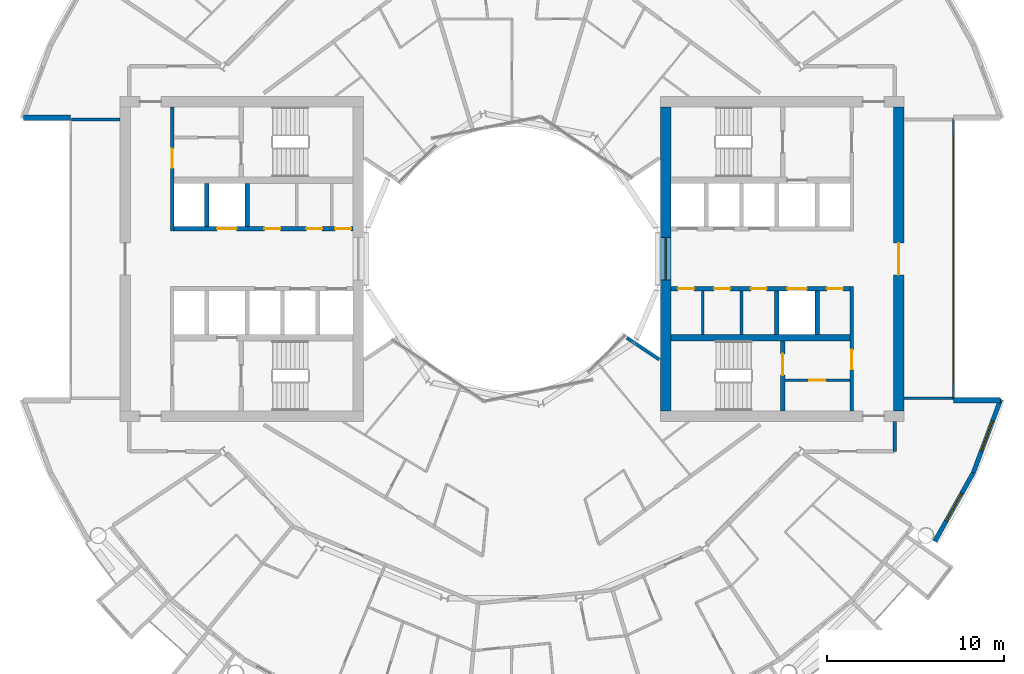
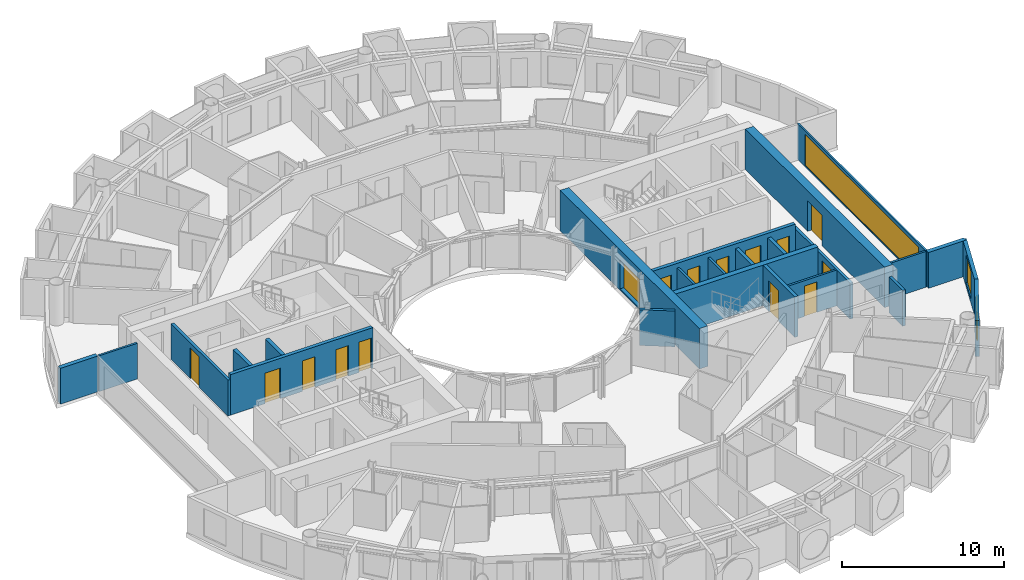
# One storey, part 18 of 27: 24 walls, 14 doors, 4 windows, 18 openings.
"""IFC4 building model written with IfcOpenShell, lengths in metres."""

from ifc_helpers import new_model, si_unit, direction, frame, frame_2d, origin, place, context, subcontext, project, spatial, rectangle, extrude, material, layer, layer_set, type_object, element, fill, save


model = new_model("IFC4")

# Units and contexts
model_context = context("Model", 3, precision=1e-05, world=origin(), true_north=direction((0.0, 1.0)))
body_context = subcontext(model_context, "Body", "Model", "MODEL_VIEW")
ifc_project = project(units=[si_unit("LENGTHUNIT", "METRE"), si_unit("AREAUNIT", "SQUARE_METRE"), si_unit("VOLUMEUNIT", "CUBIC_METRE"), si_unit("PLANEANGLEUNIT", "RADIAN"), si_unit("MASSUNIT", "GRAM", prefix="KILO")], contexts=[model_context])

# Site, building, storey
site_placement = place(None, origin())
site = spatial("IfcSite", under=ifc_project, at=site_placement, CompositionType="ELEMENT")
building_placement = place(site_placement, origin())
building = spatial("IfcBuilding", under=site, at=building_placement, Name="Maasbend Ring Residences", CompositionType="ELEMENT")
storey_placement = place(building_placement, frame((0.0, 0.0, 120.800048828125)))
storey = spatial("IfcBuildingStorey", under=building, at=storey_placement, Name="L34", CompositionType="ELEMENT", Elevation=120.800048828125)

# Wall, openings, doors
ifc_material_1 = material(Name="Concrete C60/75", Category="concrete")
ifc_layer_1 = layer(ifc_material_1, 0.25)
ifc_layer_set_1 = layer_set([ifc_layer_1], Name="Concrete C60/75")
wall_type_1 = type_object("IfcWallType", Name="CORE WALL 250 C60/75", PredefinedType="SHEAR", material=ifc_layer_set_1)
wall_1_placement = place(storey_placement, frame((19.14990234375, -1.699951171875, 0.0), z_axis=(0.0, 0.0, 1.0), x_axis=(-1.0, 0.0, 0.0)))
wall_1 = element("IfcWall", 1, at=wall_1_placement, inside=storey, type_object=wall_type_1, Name="L34 core E wall SPS", PredefinedType="SHEAR", context=body_context, shape_type="SweptSolid", body=[
    extrude(rectangle(XDim=10.14990234375, YDim=0.25, at=frame_2d((5.074951171875, 0.0))), origin(), (0.0, 0.0, 1.0), 3.050048828125),
])
opening_1_placement = place(wall_1_placement, frame((2.449951171875, 0.0, 0.0)))
opening_1 = element("IfcOpeningElement", 2, at=opening_1_placement, cuts=wall_1, Name="Opening LD-E3405", PredefinedType="OPENING", context=body_context, shape_type="SweptSolid", body=[
    extrude(rectangle(XDim=1.10009765625, YDim=2.300048828125, at=frame_2d((0.550048828125, 1.14990234375))), frame((0.0, 0.135009765625, 0.0), z_axis=(0.0, -1.0, 0.0), x_axis=(1.0, 0.0, 0.0)), (0.0, 0.0, 1.0), 0.27001953125),
])
opening_2_placement = place(wall_1_placement, frame((8.83740234375, 0.0, 0.0)))
opening_2 = element("IfcOpeningElement", 3, at=opening_2_placement, cuts=wall_1, Name="Opening D-E3406", PredefinedType="OPENING", context=body_context, shape_type="SweptSolid", body=[
    extrude(rectangle(XDim=0.89990234375, YDim=2.300048828125, at=frame_2d((0.449951171875, 1.14990234375))), frame((0.0, 0.135009765625, 0.0), z_axis=(0.0, -1.0, 0.0), x_axis=(1.0, 0.0, 0.0)), (0.0, 0.0, 1.0), 0.27001953125),
])
opening_3_placement = place(wall_1_placement, frame((6.800048828125, 0.0, 0.0)))
opening_3 = element("IfcOpeningElement", 4, at=opening_3_placement, cuts=wall_1, Name="Opening D-E3407", PredefinedType="OPENING", context=body_context, shape_type="SweptSolid", body=[
    extrude(rectangle(XDim=0.89990234375, YDim=2.300048828125, at=frame_2d((0.449951171875, 1.14990234375))), frame((0.0, 0.135009765625, 0.0), z_axis=(0.0, -1.0, 0.0), x_axis=(1.0, 0.0, 0.0)), (0.0, 0.0, 1.0), 0.27001953125),
])
opening_4_placement = place(wall_1_placement, frame((4.72509765625, 0.0, 0.0)))
opening_4 = element("IfcOpeningElement", 5, at=opening_4_placement, cuts=wall_1, Name="Opening D-E3408", PredefinedType="OPENING", context=body_context, shape_type="SweptSolid", body=[
    extrude(rectangle(XDim=0.89990234375, YDim=2.300048828125, at=frame_2d((0.449951171875, 1.14990234375))), frame((0.0, 0.135009765625, 0.0), z_axis=(0.0, -1.0, 0.0), x_axis=(1.0, 0.0, 0.0)), (0.0, 0.0, 1.0), 0.27001953125),
])
opening_5_placement = place(wall_1_placement, frame((0.41259765625, 0.0, 0.0)))
opening_5 = element("IfcOpeningElement", 6, at=opening_5_placement, cuts=wall_1, Name="Opening D-E3409", PredefinedType="OPENING", context=body_context, shape_type="SweptSolid", body=[
    extrude(rectangle(XDim=0.89990234375, YDim=2.300048828125, at=frame_2d((0.449951171875, 1.14990234375))), frame((0.0, 0.135009765625, 0.0), z_axis=(0.0, -1.0, 0.0), x_axis=(1.0, 0.0, 0.0)), (0.0, 0.0, 1.0), 0.27001953125),
])
ifc_material_2 = material(Name="Stainless steel 316", Category="steel")
door_type_1 = type_object("IfcDoorType", Name="LANDING DOOR 1100 X 2300 FD60", OperationType="DOUBLE_DOOR_SLIDING", PredefinedType="DOOR", material=ifc_material_2)
door_1_placement = place(opening_1_placement, origin())
door_1 = element("IfcDoor", 7, at=door_1_placement, inside=storey, type_object=door_type_1, Name="Landing door SV-E L34", OperationType="DOUBLE_DOOR_SLIDING", OverallHeight=2.300048828125, OverallWidth=1.10009765625, PredefinedType="DOOR", context=body_context, shape_type="SweptSolid", body=[
    extrude(rectangle(XDim=1.10009765625, YDim=2.300048828125, at=frame_2d((0.550048828125, 1.14990234375))), frame((0.0, 0.02490234375, 0.0), z_axis=(0.0, -1.0, 0.0), x_axis=(1.0, 0.0, 0.0)), (0.0, 0.0, 1.0), 0.050048828125),
])
fill(opening_1, door_1)
ifc_material_3 = material(Name="Steel, powder coated", Category="steel")
door_type_2 = type_object("IfcDoorType", Name="ROOM DOOR 900 X 2300 FD30S", OperationType="NOTDEFINED", PredefinedType="DOOR", material=ifc_material_3)
door_2_placement = place(opening_2_placement, origin())
door_2 = element("IfcDoor", 8, at=door_2_placement, inside=storey, type_object=door_type_2, Name="Room door L34", OperationType="SINGLE_SWING_LEFT", OverallHeight=2.300048828125, OverallWidth=0.89990234375, PredefinedType="DOOR", context=body_context, shape_type="SweptSolid", body=[
    extrude(rectangle(XDim=0.89990234375, YDim=2.300048828125, at=frame_2d((0.449951171875, 1.14990234375))), frame((0.0, 0.02490234375, 0.0), z_axis=(0.0, -1.0, 0.0), x_axis=(1.0, 0.0, 0.0)), (0.0, 0.0, 1.0), 0.050048828125),
])
fill(opening_2, door_2)
door_3_placement = place(opening_3_placement, origin())
door_3 = element("IfcDoor", 9, at=door_3_placement, inside=storey, type_object=door_type_2, Name="Room door L34", OperationType="SINGLE_SWING_LEFT", OverallHeight=2.300048828125, OverallWidth=0.89990234375, PredefinedType="DOOR", context=body_context, shape_type="SweptSolid", body=[
    extrude(rectangle(XDim=0.89990234375, YDim=2.300048828125, at=frame_2d((0.449951171875, 1.14990234375))), frame((0.0, 0.02490234375, 0.0), z_axis=(0.0, -1.0, 0.0), x_axis=(1.0, 0.0, 0.0)), (0.0, 0.0, 1.0), 0.050048828125),
])
fill(opening_3, door_3)
door_4_placement = place(opening_4_placement, origin())
door_4 = element("IfcDoor", 10, at=door_4_placement, inside=storey, type_object=door_type_2, Name="Room door L34", OperationType="SINGLE_SWING_LEFT", OverallHeight=2.300048828125, OverallWidth=0.89990234375, PredefinedType="DOOR", context=body_context, shape_type="SweptSolid", body=[
    extrude(rectangle(XDim=0.89990234375, YDim=2.300048828125, at=frame_2d((0.449951171875, 1.14990234375))), frame((0.0, 0.02490234375, 0.0), z_axis=(0.0, -1.0, 0.0), x_axis=(1.0, 0.0, 0.0)), (0.0, 0.0, 1.0), 0.050048828125),
])
fill(opening_4, door_4)
door_5_placement = place(opening_5_placement, origin())
door_5 = element("IfcDoor", 11, at=door_5_placement, inside=storey, type_object=door_type_2, Name="Room door L34", OperationType="SINGLE_SWING_RIGHT", OverallHeight=2.300048828125, OverallWidth=0.89990234375, PredefinedType="DOOR", context=body_context, shape_type="SweptSolid", body=[
    extrude(rectangle(XDim=0.89990234375, YDim=2.300048828125, at=frame_2d((0.449951171875, 1.14990234375))), frame((0.0, 0.02490234375, 0.0), z_axis=(0.0, -1.0, 0.0), x_axis=(1.0, 0.0, 0.0)), (0.0, 0.0, 1.0), 0.050048828125),
])
fill(opening_5, door_5)

# Wall, opening, door
wall_2_placement = place(storey_placement, frame((15.324951171875, -8.60009765625, 0.0), z_axis=(0.0, 0.0, 1.0), x_axis=(0.0, 1.0, 0.0)))
wall_2 = element("IfcWall", 12, at=wall_2_placement, inside=storey, type_object=wall_type_1, Name="L34 core E wall STES", PredefinedType="SHEAR", context=body_context, shape_type="SweptSolid", body=[
    extrude(rectangle(XDim=3.9501953125, YDim=0.25, at=frame_2d((1.97509765625, 0.0))), origin(), (0.0, 0.0, 1.0), 3.050048828125),
])
opening_6_placement = place(wall_2_placement, frame((2.02490234375, 0.0, 0.0)))
opening_6 = element("IfcOpeningElement", 13, at=opening_6_placement, cuts=wall_2, Name="Opening D-E3412", PredefinedType="OPENING", context=body_context, shape_type="SweptSolid", body=[
    extrude(rectangle(XDim=1.199951171875, YDim=2.300048828125, at=frame_2d((0.60009765625, 1.14990234375))), frame((0.0, 0.135009765625, 0.0), z_axis=(0.0, -1.0, 0.0), x_axis=(1.0, 0.0, 0.0)), (0.0, 0.0, 1.0), 0.27001953125),
])
ifc_material_4 = material(Name="Steel, powder coated", Category="steel")
door_type_3 = type_object("IfcDoorType", Name="STAIR DOOR 1200 X 2300 FD60", OperationType="NOTDEFINED", PredefinedType="DOOR", material=ifc_material_4)
door_6_placement = place(opening_6_placement, origin())
door_6 = element("IfcDoor", 14, at=door_6_placement, inside=storey, type_object=door_type_3, Name="Stair door ST-E L34", OperationType="SINGLE_SWING_LEFT", OverallHeight=2.300048828125, OverallWidth=1.199951171875, PredefinedType="DOOR", context=body_context, shape_type="SweptSolid", body=[
    extrude(rectangle(XDim=1.199951171875, YDim=2.300048828125, at=frame_2d((0.60009765625, 1.14990234375))), frame((0.0, 0.02490234375, 0.0), z_axis=(0.0, -1.0, 0.0), x_axis=(1.0, 0.0, 0.0)), (0.0, 0.0, 1.0), 0.050048828125),
])
fill(opening_6, door_6)

# Wall, openings, doors
wall_3_placement = place(storey_placement, frame((-19.14990234375, 1.699951171875, 0.0), z_axis=(0.0, 0.0, 1.0), x_axis=(1.0, 0.0, 0.0)))
wall_3 = element("IfcWall", 15, at=wall_3_placement, inside=storey, type_object=wall_type_1, Name="L34 core W wall SPS", PredefinedType="SHEAR", context=body_context, shape_type="SweptSolid", body=[
    extrude(rectangle(XDim=10.14990234375, YDim=0.25, at=frame_2d((5.074951171875, 0.0))), origin(), (0.0, 0.0, 1.0), 3.050048828125),
])
opening_7_placement = place(wall_3_placement, frame((2.449951171875, 0.0, 0.0)))
opening_7 = element("IfcOpeningElement", 16, at=opening_7_placement, cuts=wall_3, Name="Opening LD-W3405", PredefinedType="OPENING", context=body_context, shape_type="SweptSolid", body=[
    extrude(rectangle(XDim=1.10009765625, YDim=2.300048828125, at=frame_2d((0.550048828125, 1.14990234375))), frame((0.0, 0.135009765625, 0.0), z_axis=(0.0, -1.0, 0.0), x_axis=(1.0, 0.0, 0.0)), (0.0, 0.0, 1.0), 0.27001953125),
])
opening_8_placement = place(wall_3_placement, frame((9.137451171875, 0.0, 0.0)))
opening_8 = element("IfcOpeningElement", 17, at=opening_8_placement, cuts=wall_3, Name="Opening D-W3406", PredefinedType="OPENING", context=body_context, shape_type="SweptSolid", body=[
    extrude(rectangle(XDim=0.89990234375, YDim=2.300048828125, at=frame_2d((0.449951171875, 1.14990234375))), frame((0.0, 0.135009765625, 0.0), z_axis=(0.0, -1.0, 0.0), x_axis=(1.0, 0.0, 0.0)), (0.0, 0.0, 1.0), 0.27001953125),
])
opening_9_placement = place(wall_3_placement, frame((7.5, 0.0, 0.0)))
opening_9 = element("IfcOpeningElement", 18, at=opening_9_placement, cuts=wall_3, Name="Opening D-W3407", PredefinedType="OPENING", context=body_context, shape_type="SweptSolid", body=[
    extrude(rectangle(XDim=0.89990234375, YDim=2.300048828125, at=frame_2d((0.449951171875, 1.14990234375))), frame((0.0, 0.135009765625, 0.0), z_axis=(0.0, -1.0, 0.0), x_axis=(1.0, 0.0, 0.0)), (0.0, 0.0, 1.0), 0.27001953125),
])
opening_10_placement = place(wall_3_placement, frame((5.125, 0.0, 0.0)))
opening_10 = element("IfcOpeningElement", 19, at=opening_10_placement, cuts=wall_3, Name="Opening D-W3408", PredefinedType="OPENING", context=body_context, shape_type="SweptSolid", body=[
    extrude(rectangle(XDim=0.89990234375, YDim=2.300048828125, at=frame_2d((0.449951171875, 1.14990234375))), frame((0.0, 0.135009765625, 0.0), z_axis=(0.0, -1.0, 0.0), x_axis=(1.0, 0.0, 0.0)), (0.0, 0.0, 1.0), 0.27001953125),
])
door_7_placement = place(opening_7_placement, origin())
door_7 = element("IfcDoor", 20, at=door_7_placement, inside=storey, type_object=door_type_1, Name="Landing door SV-W L34", OperationType="DOUBLE_DOOR_SLIDING", OverallHeight=2.300048828125, OverallWidth=1.10009765625, PredefinedType="DOOR", context=body_context, shape_type="SweptSolid", body=[
    extrude(rectangle(XDim=1.10009765625, YDim=2.300048828125, at=frame_2d((0.550048828125, 1.14990234375))), frame((0.0, 0.02490234375, 0.0), z_axis=(0.0, -1.0, 0.0), x_axis=(1.0, 0.0, 0.0)), (0.0, 0.0, 1.0), 0.050048828125),
])
fill(opening_7, door_7)
door_8_placement = place(opening_8_placement, origin())
door_8 = element("IfcDoor", 21, at=door_8_placement, inside=storey, type_object=door_type_2, Name="Room door L34", OperationType="SINGLE_SWING_LEFT", OverallHeight=2.300048828125, OverallWidth=0.89990234375, PredefinedType="DOOR", context=body_context, shape_type="SweptSolid", body=[
    extrude(rectangle(XDim=0.89990234375, YDim=2.300048828125, at=frame_2d((0.449951171875, 1.14990234375))), frame((0.0, 0.02490234375, 0.0), z_axis=(0.0, -1.0, 0.0), x_axis=(1.0, 0.0, 0.0)), (0.0, 0.0, 1.0), 0.050048828125),
])
fill(opening_8, door_8)
door_9_placement = place(opening_9_placement, origin())
door_9 = element("IfcDoor", 22, at=door_9_placement, inside=storey, type_object=door_type_2, Name="Room door L34", OperationType="SINGLE_SWING_LEFT", OverallHeight=2.300048828125, OverallWidth=0.89990234375, PredefinedType="DOOR", context=body_context, shape_type="SweptSolid", body=[
    extrude(rectangle(XDim=0.89990234375, YDim=2.300048828125, at=frame_2d((0.449951171875, 1.14990234375))), frame((0.0, 0.02490234375, 0.0), z_axis=(0.0, -1.0, 0.0), x_axis=(1.0, 0.0, 0.0)), (0.0, 0.0, 1.0), 0.050048828125),
])
fill(opening_9, door_9)
door_10_placement = place(opening_10_placement, origin())
door_10 = element("IfcDoor", 23, at=door_10_placement, inside=storey, type_object=door_type_2, Name="Room door L34", OperationType="SINGLE_SWING_LEFT", OverallHeight=2.300048828125, OverallWidth=0.89990234375, PredefinedType="DOOR", context=body_context, shape_type="SweptSolid", body=[
    extrude(rectangle(XDim=0.89990234375, YDim=2.300048828125, at=frame_2d((0.449951171875, 1.14990234375))), frame((0.0, 0.02490234375, 0.0), z_axis=(0.0, -1.0, 0.0), x_axis=(1.0, 0.0, 0.0)), (0.0, 0.0, 1.0), 0.050048828125),
])
fill(opening_10, door_10)

# Wall
ifc_material_5 = material(Name="Concrete C60/75", Category="concrete")
ifc_layer_2 = layer(ifc_material_5, 0.375)
ifc_layer_set_2 = layer_set([ifc_layer_2], Name="Concrete C60/75")
wall_type_2 = type_object("IfcWallType", Name="CORE WALL 375 C60/75", PredefinedType="SHEAR", material=ifc_layer_set_2)
wall_4_placement = place(storey_placement, frame((9.0, -4.46240234375, 0.0), z_axis=(0.0, 0.0, 1.0), x_axis=(1.0, 0.0, 0.0)))
element("IfcWall", 24, at=wall_4_placement, inside=storey, type_object=wall_type_2, Name="L34 core E wall BS", PredefinedType="SHEAR", context=body_context, shape_type="SweptSolid", body=[
    extrude(rectangle(XDim=10.14990234375, YDim=0.375, at=frame_2d((5.074951171875, 0.0))), origin(), (0.0, 0.0, 1.0), 3.050048828125),
])

# Wall, opening, door
ifc_material_6 = material(Name="Concrete C60/75", Category="concrete")
ifc_layer_3 = layer(ifc_material_6, 0.60009765625)
ifc_layer_set_3 = layer_set([ifc_layer_3], Name="Concrete C60/75")
wall_type_3 = type_object("IfcWallType", Name="CORE WALL 600 C60/75", PredefinedType="SHEAR", material=ifc_layer_set_3)
wall_5_placement = place(storey_placement, frame((21.89990234375, 8.60009765625, 0.0), z_axis=(0.0, 0.0, 1.0), x_axis=(0.0, -1.0, 0.0)))
wall_5 = element("IfcWall", 25, at=wall_5_placement, inside=storey, type_object=wall_type_3, Name="L34 core E wall POUT", PredefinedType="SHEAR", context=body_context, shape_type="SweptSolid", body=[
    extrude(rectangle(XDim=17.2001953125, YDim=0.60009765625, at=frame_2d((8.60009765625, 0.0))), origin(), (0.0, 0.0, 1.0), 3.050048828125),
])
opening_11_placement = place(wall_5_placement, frame((7.699951171875, 0.0, 0.0)))
opening_11 = element("IfcOpeningElement", 26, at=opening_11_placement, cuts=wall_5, Name="Opening D-E3417", PredefinedType="OPENING", context=body_context, shape_type="SweptSolid", body=[
    extrude(rectangle(XDim=1.800048828125, YDim=2.300048828125, at=frame_2d((0.89990234375, 1.14990234375))), frame((0.0, 0.31005859375, 0.0), z_axis=(0.0, -1.0, 0.0), x_axis=(1.0, 0.0, 0.0)), (0.0, 0.0, 1.0), 0.6201171875),
])
ifc_material_7 = material(Name="Aluminium frame, clear glass", Category="aluminium")
door_type_4 = type_object("IfcDoorType", Name="ENTRANCE DOOR 1800 X 2300 FD60", OperationType="NOTDEFINED", PredefinedType="DOOR", material=ifc_material_7)
door_11_placement = place(opening_11_placement, origin())
door_11 = element("IfcDoor", 27, at=door_11_placement, inside=storey, type_object=door_type_4, Name="Lobby glazed door L34", OperationType="SINGLE_SWING_LEFT", OverallHeight=2.300048828125, OverallWidth=1.800048828125, PredefinedType="DOOR", context=body_context, shape_type="SweptSolid", body=[
    extrude(rectangle(XDim=1.800048828125, YDim=2.300048828125, at=frame_2d((0.89990234375, 1.14990234375))), frame((0.0, 0.02490234375, 0.0), z_axis=(0.0, -1.0, 0.0), x_axis=(1.0, 0.0, 0.0)), (0.0, 0.0, 1.0), 0.050048828125),
])
fill(opening_11, door_11)

# Wall, opening, window
wall_6_placement = place(storey_placement, frame((8.699951171875, -8.60009765625, 0.0), z_axis=(0.0, 0.0, 1.0), x_axis=(0.0, 1.0, 0.0)))
wall_6 = element("IfcWall", 28, at=wall_6_placement, inside=storey, type_object=wall_type_3, Name="L34 core E wall PIN", PredefinedType="SHEAR", context=body_context, shape_type="SweptSolid", body=[
    extrude(rectangle(XDim=17.2001953125, YDim=0.60009765625, at=frame_2d((8.60009765625, 0.0))), origin(), (0.0, 0.0, 1.0), 3.050048828125),
])
opening_12_placement = place(wall_6_placement, frame((7.39990234375, 0.0, 0.10009765625)))
opening_12 = element("IfcOpeningElement", 29, at=opening_12_placement, cuts=wall_6, Name="Opening W-E3401", PredefinedType="OPENING", context=body_context, shape_type="SweptSolid", body=[
    extrude(rectangle(XDim=2.39990234375, YDim=2.199951171875, at=frame_2d((1.199951171875, 1.10009765625))), frame((0.0, 0.31005859375, 0.0), z_axis=(0.0, -1.0, 0.0), x_axis=(1.0, 0.0, 0.0)), (0.0, 0.0, 1.0), 0.6201171875),
])
ifc_material_8 = material(Name="Aluminium frame and clear glass", Category="aluminium")
window_type_1 = type_object("IfcWindowType", Name="FIXED WINDOW 2400 X 2200", PartitioningType="SINGLE_PANEL", PredefinedType="WINDOW", material=ifc_material_8)
window_1_placement = place(opening_12_placement, origin())
window_1 = element("IfcWindow", 30, at=window_1_placement, inside=storey, type_object=window_type_1, Name="Lobby window L34", OverallHeight=2.199951171875, OverallWidth=2.39990234375, PartitioningType="SINGLE_PANEL", PredefinedType="WINDOW", context=body_context, shape_type="SweptSolid", body=[
    extrude(rectangle(XDim=2.39990234375, YDim=2.199951171875, at=frame_2d((1.199951171875, 1.10009765625))), frame((0.0, 0.030029296875, 0.0), z_axis=(0.0, -1.0, 0.0), x_axis=(1.0, 0.0, 0.0)), (0.0, 0.0, 1.0), 0.06005859375),
])
fill(opening_12, window_1)

# Wall
ifc_material_9 = material(Name="Concrete C30/37", Category="concrete")
ifc_layer_4 = layer(ifc_material_9, 0.199951171875)
ifc_layer_set_4 = layer_set([ifc_layer_4], Name="Concrete C30/37")
wall_type_4 = type_object("IfcWallType", Name="CORRIDOR WALL 200 CONCRETE", PredefinedType="PARTITIONING", material=ifc_layer_set_4)
wall_7_placement = place(storey_placement, frame((21.675048828125, -10.89990234375, 0.0), z_axis=(0.0, 0.0, 1.0), x_axis=(0.0, 1.0, 0.0)))
element("IfcWall", 31, at=wall_7_placement, inside=storey, type_object=wall_type_4, Name="U-L34-w009", PredefinedType="PARTITIONING", context=body_context, shape_type="SweptSolid", body=[
    extrude(rectangle(XDim=1.699951171875, YDim=0.199951171875, at=frame_2d((0.85009765625, 0.0))), origin(), (0.0, 0.0, 1.0), 2.699951171875),
])

# Wall, opening, window
ifc_material_10 = material(Name="Aluminium clad insulated panel", Category="aluminium")
ifc_layer_5 = layer(ifc_material_10, 0.25)
ifc_layer_set_5 = layer_set([ifc_layer_5], Name="EW-HORN")
wall_type_5 = type_object("IfcWallType", Name="EW-HORN", PredefinedType="SOLIDWALL", material=ifc_layer_set_5)
wall_8_placement = place(storey_placement, frame((23.946044921875, -16.0, 0.0), z_axis=(0.0, 0.0, 1.0), x_axis=(0.489696356642, 0.871893042919, 0.0)))
wall_8 = element("IfcWall", 32, at=wall_8_placement, inside=storey, type_object=wall_type_5, Name="Horn wall 2.1", PredefinedType="SOLIDWALL", context=body_context, shape_type="SweptSolid", body=[
    extrude(rectangle(XDim=4.45361328125, YDim=0.25, at=frame_2d((2.226806640625, 0.0))), origin(), (0.0, 0.0, 1.0), 2.699951171875),
])
opening_13_placement = place(wall_8_placement, frame((1.32666015625, 0.0, 0.300048828125)))
opening_13 = element("IfcOpeningElement", 33, at=opening_13_placement, cuts=wall_8, Name="Opening W-BX", PredefinedType="OPENING", context=body_context, shape_type="SweptSolid", body=[
    extrude(rectangle(XDim=1.800048828125, YDim=2.10009765625, at=frame_2d((0.89990234375, 1.050048828125))), frame((0.0, 0.135009765625, 0.0), z_axis=(0.0, -1.0, 0.0), x_axis=(1.0, 0.0, 0.0)), (0.0, 0.0, 1.0), 0.27001953125),
])
ifc_material_11 = material(Name="Aluminium and clear glass", Category="aluminium")
window_type_2 = type_object("IfcWindowType", Name="W-BX", PartitioningType="DOUBLE_PANEL_VERTICAL", PredefinedType="WINDOW", material=ifc_material_11)
window_2_placement = place(opening_13_placement, origin())
window_2 = element("IfcWindow", 34, at=window_2_placement, inside=storey, type_object=window_type_2, Name="Horn window 2.1", OverallHeight=2.10009765625, OverallWidth=1.800048828125, PartitioningType="SINGLE_PANEL", PredefinedType="WINDOW", context=body_context, shape_type="SweptSolid", body=[
    extrude(rectangle(XDim=1.800048828125, YDim=2.10009765625, at=frame_2d((0.89990234375, 1.050048828125))), frame((0.0, 0.030029296875, 0.0), z_axis=(0.0, -1.0, 0.0), x_axis=(1.0, 0.0, 0.0)), (0.0, 0.0, 1.0), 0.06005859375),
])
fill(opening_13, window_2)

wall_9_placement = place(storey_placement, frame((26.126953125, -12.116943359375, 0.0), z_axis=(0.0, 0.0, 1.0), x_axis=(0.349247811493, 0.937030397675, 0.0)))
wall_9 = element("IfcWall", 35, at=wall_9_placement, inside=storey, type_object=wall_type_5, Name="Horn wall 2.2", PredefinedType="SOLIDWALL", context=body_context, shape_type="SweptSolid", body=[
    extrude(rectangle(XDim=4.4521484375, YDim=0.25, at=frame_2d((2.22607421875, 0.0))), origin(), (0.0, 0.0, 1.0), 2.699951171875),
])
opening_14_placement = place(wall_9_placement, frame((1.32666015625, 0.0, 0.300048828125)))
opening_14 = element("IfcOpeningElement", 36, at=opening_14_placement, cuts=wall_9, Name="Opening W-BX", PredefinedType="OPENING", context=body_context, shape_type="SweptSolid", body=[
    extrude(rectangle(XDim=1.800048828125, YDim=2.10009765625, at=frame_2d((0.89990234375, 1.050048828125))), frame((0.0, 0.135009765625, 0.0), z_axis=(0.0, -1.0, 0.0), x_axis=(1.0, 0.0, 0.0)), (0.0, 0.0, 1.0), 0.27001953125),
])
window_3_placement = place(opening_14_placement, origin())
window_3 = element("IfcWindow", 37, at=window_3_placement, inside=storey, type_object=window_type_2, Name="Horn window 2.2", OverallHeight=2.10009765625, OverallWidth=1.800048828125, PartitioningType="SINGLE_PANEL", PredefinedType="WINDOW", context=body_context, shape_type="SweptSolid", body=[
    extrude(rectangle(XDim=1.800048828125, YDim=2.10009765625, at=frame_2d((0.89990234375, 1.050048828125))), frame((0.0, 0.030029296875, 0.0), z_axis=(0.0, -1.0, 0.0), x_axis=(1.0, 0.0, 0.0)), (0.0, 0.0, 1.0), 0.06005859375),
])
fill(opening_14, window_3)

# Walls
ifc_material_12 = material(Name="Aluminium clad insulated panel", Category="aluminium")
ifc_layer_6 = layer(ifc_material_12, 0.300048828125)
ifc_layer_set_6 = layer_set([ifc_layer_6], Name="EW-RET")
wall_type_6 = type_object("IfcWallType", Name="EW-RET", PredefinedType="SOLIDWALL", material=ifc_layer_set_6)
for number, where, z_axis, x_axis, name in (
    (38, (25.0, -8.0, 0.0), (0.0, 0.0, 1.0), (1.0, 0.0, 0.0), "Notch return wall east south"),
    (39, (-25.0, 8.0, 0.0), (0.0, 0.0, 1.0), (-1.0, 0.0, 0.0), "Notch return wall west north"),
):
    element("IfcWall", number, at=place(storey_placement, frame(where, z_axis=z_axis, x_axis=x_axis)), inside=storey, type_object=wall_type_6, Name=name, PredefinedType="SOLIDWALL", context=body_context, shape_type="SweptSolid", body=[
        extrude(rectangle(XDim=2.6669921875, YDim=0.300048828125, at=frame_2d((1.33349609375, 0.0))), origin(), (0.0, 0.0, 1.0), 2.699951171875),
    ])

# Wall, opening, window
ifc_material_13 = material(Name="Aluminium frame and clear glass", Category="aluminium")
ifc_layer_7 = layer(ifc_material_13, 0.1201171875)
ifc_layer_set_7 = layer_set([ifc_layer_7], Name="GLAZED SCREEN WALL 120 EI 60")
wall_type_7 = type_object("IfcWallType", Name="GLAZED SCREEN WALL 120 EI 60", PredefinedType="PARTITIONING", material=ifc_layer_set_7)
wall_10_placement = place(storey_placement, frame((25.0, -7.949951171875, 0.0), z_axis=(0.0, 0.0, 1.0), x_axis=(0.0, 1.0, 0.0)))
wall_10 = element("IfcWall", 40, at=wall_10_placement, inside=storey, type_object=wall_type_7, Name="L34 core E wall FACE", PredefinedType="PARTITIONING", context=body_context, shape_type="SweptSolid", body=[
    extrude(rectangle(XDim=15.89990234375, YDim=0.1201171875, at=frame_2d((7.949951171875, 0.0))), origin(), (0.0, 0.0, 1.0), 2.699951171875),
])
opening_15_placement = place(wall_10_placement, frame((0.949951171875, 0.0, 0.10009765625)))
opening_15 = element("IfcOpeningElement", 41, at=opening_15_placement, cuts=wall_10, Name="Opening W-E3402", PredefinedType="OPENING", context=body_context, shape_type="SweptSolid", body=[
    extrude(rectangle(XDim=14.0, YDim=2.35009765625, at=frame_2d((7.0, 1.175048828125))), frame((0.0, 0.070068359375, 0.0), z_axis=(0.0, -1.0, 0.0), x_axis=(1.0, 0.0, 0.0)), (0.0, 0.0, 1.0), 0.14013671875),
])
ifc_material_14 = material(Name="Aluminium frame and clear glass", Category="aluminium")
window_type_3 = type_object("IfcWindowType", Name="FIXED WINDOW 14000 X 2350", PartitioningType="SINGLE_PANEL", PredefinedType="WINDOW", material=ifc_material_14)
window_4_placement = place(opening_15_placement, origin())
window_4 = element("IfcWindow", 42, at=window_4_placement, inside=storey, type_object=window_type_3, Name="Lobby window L34", OverallHeight=2.35009765625, OverallWidth=14.0, PartitioningType="SINGLE_PANEL", PredefinedType="WINDOW", context=body_context, shape_type="SweptSolid", body=[
    extrude(rectangle(XDim=14.0, YDim=2.35009765625, at=frame_2d((7.0, 1.175048828125))), frame((0.0, 0.030029296875, 0.0), z_axis=(0.0, -1.0, 0.0), x_axis=(1.0, 0.0, 0.0)), (0.0, 0.0, 1.0), 0.06005859375),
])
fill(opening_15, window_4)

# Walls
ifc_material_15 = material(Name="Gypsum board on steel studs", Category="steel")
ifc_layer_8 = layer(ifc_material_15, 0.14990234375)
ifc_layer_set_8 = layer_set([ifc_layer_8], Name="PARTITION 150 EI 60")
wall_type_8 = type_object("IfcWallType", Name="PARTITION 150 EI 60", PredefinedType="PARTITIONING", material=ifc_layer_set_8)
for number, where, z_axis, x_axis, name in (
    (43, (10.800048828125, -1.824951171875, 0.0), (0.0, 0.0, 1.0), (0.0, -1.0, 0.0), "L34 core E wall PRS1080"),
    (44, (13.0, -1.824951171875, 0.0), (0.0, 0.0, 1.0), (0.0, -1.0, 0.0), "L34 core E wall PRS1300"),
):
    element("IfcWall", number, at=place(storey_placement, frame(where, z_axis=z_axis, x_axis=x_axis)), inside=storey, type_object=wall_type_8, Name=name, PredefinedType="PARTITIONING", context=body_context, shape_type="SweptSolid", body=[
        extrude(rectangle(XDim=2.449951171875, YDim=0.14990234375, at=frame_2d((1.22509765625, 0.0))), origin(), (0.0, 0.0, 1.0), 2.699951171875),
    ])

# Wall, opening, door
wall_11_placement = place(storey_placement, frame((15.449951171875, -6.875, 0.0), z_axis=(0.0, 0.0, 1.0), x_axis=(1.0, 0.0, 0.0)))
wall_11 = element("IfcWall", 45, at=wall_11_placement, inside=storey, type_object=wall_type_8, Name="L34 core E wall RHS", PredefinedType="PARTITIONING", context=body_context, shape_type="SweptSolid", body=[
    extrude(rectangle(XDim=3.699951171875, YDim=0.14990234375, at=frame_2d((1.85009765625, 0.0))), origin(), (0.0, 0.0, 1.0), 2.699951171875),
])
opening_16_placement = place(wall_11_placement, frame((1.39990234375, 0.0, 0.0)))
opening_16 = element("IfcOpeningElement", 46, at=opening_16_placement, cuts=wall_11, Name="Opening D-E3410", PredefinedType="OPENING", context=body_context, shape_type="SweptSolid", body=[
    extrude(rectangle(XDim=0.89990234375, YDim=2.300048828125, at=frame_2d((0.449951171875, 1.14990234375))), frame((0.0, 0.0849609375, 0.0), z_axis=(0.0, -1.0, 0.0), x_axis=(1.0, 0.0, 0.0)), (0.0, 0.0, 1.0), 0.169921875),
])
ifc_material_16 = material(Name="Steel, powder coated", Category="steel")
door_type_5 = type_object("IfcDoorType", Name="RISER DOOR 900 X 2300 FD60", OperationType="NOTDEFINED", PredefinedType="DOOR", material=ifc_material_16)
door_12_placement = place(opening_16_placement, origin())
door_12 = element("IfcDoor", 47, at=door_12_placement, inside=storey, type_object=door_type_5, Name="Riser door L34", OperationType="SINGLE_SWING_LEFT", OverallHeight=2.300048828125, OverallWidth=0.89990234375, PredefinedType="DOOR", context=body_context, shape_type="SweptSolid", body=[
    extrude(rectangle(XDim=0.89990234375, YDim=2.300048828125, at=frame_2d((0.449951171875, 1.14990234375))), frame((0.0, 0.02490234375, 0.0), z_axis=(0.0, -1.0, 0.0), x_axis=(1.0, 0.0, 0.0)), (0.0, 0.0, 1.0), 0.050048828125),
])
fill(opening_16, door_12)

# Walls
for number, where, z_axis, x_axis, name in (
    (48, (22.199951171875, -7.89990234375, 0.0), (0.0, 0.0, 1.0), (1.0, 0.0, 0.0), "L34 core E wall CITS"),
    (49, (-22.199951171875, 7.89990234375, 0.0), (0.0, 0.0, 1.0), (-1.0, 0.0, 0.0), "L34 core W wall CITS"),
):
    element("IfcWall", number, at=place(storey_placement, frame(where, z_axis=z_axis, x_axis=x_axis)), inside=storey, type_object=wall_type_8, Name=name, PredefinedType="PARTITIONING", context=body_context, shape_type="SweptSolid", body=[
        extrude(rectangle(XDim=2.739990234375, YDim=0.14990234375, at=frame_2d((1.3701171875, 0.0))), origin(), (0.0, 0.0, 1.0), 2.699951171875),
    ])
ifc_material_17 = material(Name="Concrete C30/37", Category="concrete")
ifc_layer_9 = layer(ifc_material_17, 0.199951171875)
ifc_layer_set_9 = layer_set([ifc_layer_9], Name="Concrete C30/37")
wall_type_9 = type_object("IfcWallType", Name="PARTY WALL 200 CONCRETE", PredefinedType="PARTITIONING", material=ifc_layer_set_9)
wall_12_placement = place(storey_placement, frame((6.512939453125, -4.471923828125, 0.0), z_axis=(0.0, 0.0, 1.0), x_axis=(0.831333375071, -0.555774072347, 0.0)))
element("IfcWall", 50, at=wall_12_placement, inside=storey, type_object=wall_type_9, Name="U-L34-w027", PredefinedType="PARTITIONING", context=body_context, shape_type="SweptSolid", body=[
    extrude(rectangle(XDim=2.20263671875, YDim=0.199951171875, at=frame_2d((1.101318359375, 0.0))), origin(), (0.0, 0.0, 1.0), 2.699951171875),
])

# Wall, opening, door
ifc_material_18 = material(Name="Concrete C30/37", Category="concrete")
ifc_layer_10 = layer(ifc_material_18, 0.199951171875)
ifc_layer_set_10 = layer_set([ifc_layer_10], Name="Concrete C30/37")
wall_type_10 = type_object("IfcWallType", Name="SHAFT WALL 200 EI 120", PredefinedType="SOLIDWALL", material=ifc_layer_set_10)
wall_13_placement = place(storey_placement, frame((19.25, -8.60009765625, 0.0), z_axis=(0.0, 0.0, 1.0), x_axis=(0.0, 1.0, 0.0)))
wall_13 = element("IfcWall", 51, at=wall_13_placement, inside=storey, type_object=wall_type_10, Name="L34 core E wall ENDS", PredefinedType="SOLIDWALL", context=body_context, shape_type="SweptSolid", body=[
    extrude(rectangle(XDim=7.025146484375, YDim=0.199951171875, at=frame_2d((3.5126953125, 0.0))), origin(), (0.0, 0.0, 1.0), 2.699951171875),
])
opening_17_placement = place(wall_13_placement, frame((2.35009765625, 0.0, 0.0)))
opening_17 = element("IfcOpeningElement", 52, at=opening_17_placement, cuts=wall_13, Name="Opening D-E3414", PredefinedType="OPENING", context=body_context, shape_type="SweptSolid", body=[
    extrude(rectangle(XDim=1.10009765625, YDim=2.300048828125, at=frame_2d((0.550048828125, 1.14990234375))), frame((0.0, 0.10986328125, 0.0), z_axis=(0.0, -1.0, 0.0), x_axis=(1.0, 0.0, 0.0)), (0.0, 0.0, 1.0), 0.219970703125),
])
ifc_material_19 = material(Name="Steel, powder coated", Category="steel")
door_type_6 = type_object("IfcDoorType", Name="LOBBY DOOR 1100 X 2300 FD60", OperationType="NOTDEFINED", PredefinedType="DOOR", material=ifc_material_19)
door_13_placement = place(opening_17_placement, origin())
door_13 = element("IfcDoor", 53, at=door_13_placement, inside=storey, type_object=door_type_6, Name="Lobby door L34", OperationType="SINGLE_SWING_RIGHT", OverallHeight=2.300048828125, OverallWidth=1.10009765625, PredefinedType="DOOR", context=body_context, shape_type="SweptSolid", body=[
    extrude(rectangle(XDim=1.10009765625, YDim=2.300048828125, at=frame_2d((0.550048828125, 1.14990234375))), frame((0.0, 0.02490234375, 0.0), z_axis=(0.0, -1.0, 0.0), x_axis=(1.0, 0.0, 0.0)), (0.0, 0.0, 1.0), 0.050048828125),
])
fill(opening_17, door_13)

wall_14_placement = place(storey_placement, frame((-19.25, 8.60009765625, 0.0), z_axis=(0.0, 0.0, 1.0), x_axis=(0.0, -1.0, 0.0)))
wall_14 = element("IfcWall", 54, at=wall_14_placement, inside=storey, type_object=wall_type_10, Name="L34 core W wall ENDS", PredefinedType="SOLIDWALL", context=body_context, shape_type="SweptSolid", body=[
    extrude(rectangle(XDim=7.025146484375, YDim=0.199951171875, at=frame_2d((3.5126953125, 0.0))), origin(), (0.0, 0.0, 1.0), 2.699951171875),
])
opening_18_placement = place(wall_14_placement, frame((2.35009765625, 0.0, 0.0)))
opening_18 = element("IfcOpeningElement", 55, at=opening_18_placement, cuts=wall_14, Name="Opening D-W3413", PredefinedType="OPENING", context=body_context, shape_type="SweptSolid", body=[
    extrude(rectangle(XDim=1.10009765625, YDim=2.300048828125, at=frame_2d((0.550048828125, 1.14990234375))), frame((0.0, 0.10986328125, 0.0), z_axis=(0.0, -1.0, 0.0), x_axis=(1.0, 0.0, 0.0)), (0.0, 0.0, 1.0), 0.219970703125),
])
door_14_placement = place(opening_18_placement, origin())
door_14 = element("IfcDoor", 56, at=door_14_placement, inside=storey, type_object=door_type_6, Name="Lobby door L34", OperationType="SINGLE_SWING_RIGHT", OverallHeight=2.300048828125, OverallWidth=1.10009765625, PredefinedType="DOOR", context=body_context, shape_type="SweptSolid", body=[
    extrude(rectangle(XDim=1.10009765625, YDim=2.300048828125, at=frame_2d((0.550048828125, 1.14990234375))), frame((0.0, 0.02490234375, 0.0), z_axis=(0.0, -1.0, 0.0), x_axis=(1.0, 0.0, 0.0)), (0.0, 0.0, 1.0), 0.050048828125),
])
fill(opening_18, door_14)

# Walls
ifc_material_20 = material(Name="Concrete C30/37", Category="concrete")
ifc_layer_11 = layer(ifc_material_20, 0.25)
ifc_layer_set_11 = layer_set([ifc_layer_11], Name="Concrete C30/37")
wall_type_11 = type_object("IfcWallType", Name="SHAFT WALL 250 EI 120", PredefinedType="SOLIDWALL", material=ifc_layer_set_11)
for number, where, z_axis, x_axis, name in (
    (57, (15.0, -1.824951171875, 0.0), (0.0, 0.0, 1.0), (0.0, -1.0, 0.0), "L34 core E wall D150S"),
    (58, (17.300048828125, -1.824951171875, 0.0), (0.0, 0.0, 1.0), (0.0, -1.0, 0.0), "L34 core E wall D173S"),
    (59, (-15.0, 1.824951171875, 0.0), (0.0, 0.0, 1.0), (0.0, 1.0, 0.0), "L34 core W wall D150S"),
    (60, (-17.300048828125, 1.824951171875, 0.0), (0.0, 0.0, 1.0), (0.0, 1.0, 0.0), "L34 core W wall D173S"),
):
    element("IfcWall", number, at=place(storey_placement, frame(where, z_axis=z_axis, x_axis=x_axis)), inside=storey, type_object=wall_type_11, Name=name, PredefinedType="SOLIDWALL", context=body_context, shape_type="SweptSolid", body=[
        extrude(rectangle(XDim=2.449951171875, YDim=0.25, at=frame_2d((1.22509765625, 0.0))), origin(), (0.0, 0.0, 1.0), 2.699951171875),
    ])

save(model, "model.ifc")
